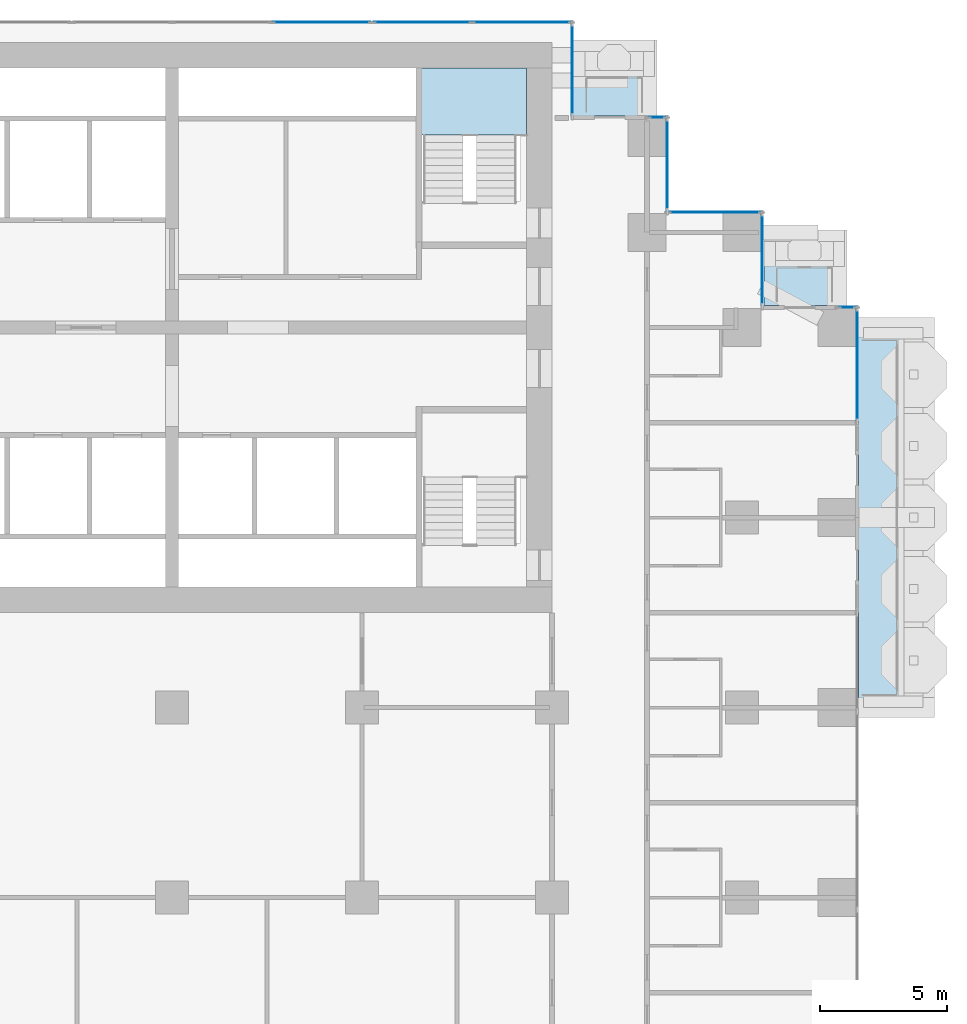
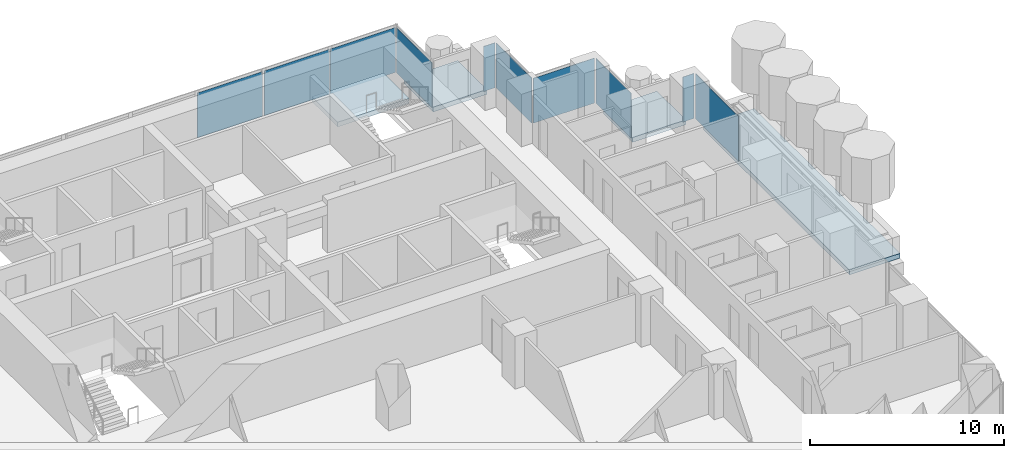
# One storey, part 10 of 20: 10 plates, 4 slabs, 10 elements without a shape of their own.
"""IFC4 building model written with IfcOpenShell, lengths in metres."""

from ifc_helpers import new_model, si_unit, direction, frame, origin, origin_2d, place, context, subcontext, project, spatial, polyline, rectangle, outline, extrude, material, layer, layer_set, type_object, element, aggregate, save


model = new_model("IFC4")

# Units and contexts
model_context = context("Model", 3, precision=1e-05, world=origin(), true_north=direction((0.0, 1.0)))
body_context = subcontext(model_context, "Body", "Model", "MODEL_VIEW")
ifc_project = project(units=[si_unit("LENGTHUNIT", "METRE"), si_unit("AREAUNIT", "SQUARE_METRE"), si_unit("VOLUMEUNIT", "CUBIC_METRE"), si_unit("PLANEANGLEUNIT", "RADIAN"), si_unit("MASSUNIT", "GRAM", prefix="KILO")], contexts=[model_context])

# Site, building, storey
site_placement = place(None, origin())
site = spatial("IfcSite", under=ifc_project, at=site_placement, CompositionType="ELEMENT")
building_placement = place(site_placement, origin())
building = spatial("IfcBuilding", under=site, at=building_placement, Name="Pilkhan Gate Tower", CompositionType="ELEMENT")
storey_placement = place(building_placement, frame((0.0, 0.0, 92.300048828125)))
storey = spatial("IfcBuildingStorey", under=building, at=storey_placement, Name="L22", CompositionType="ELEMENT", Elevation=92.300048828125)

# Slabs
ifc_material_1 = material(Name="Concrete C60/75", Category="concrete")
ifc_layer_1 = layer(ifc_material_1, 0.300048828125)
ifc_layer_set_1 = layer_set([ifc_layer_1], Name="Balcony tray slab TR300")
slab_type_1 = type_object("IfcSlabType", Name="Balcony tray slab TR300", PredefinedType="FLOOR", material=ifc_layer_set_1)
slab_1_placement = place(storey_placement, frame((0.0, 0.0, -0.300048828125)))
element("IfcSlab", 1, at=slab_1_placement, inside=storey, type_object=slab_type_1, Name="Balcony tray L22 E", PredefinedType="FLOOR", context=body_context, shape_type="SweptSolid", body=[
    extrude(outline(polyline([(105.10009765625, 67.5), (105.10009765625, 82.5), (102.10009765625, 82.5), (102.10009765625, 67.5), (105.10009765625, 67.5)])), origin(), (0.0, 0.0, 1.0), 0.300048828125),
])
slab_2_placement = place(storey_placement, frame((0.0, 0.0, -0.300048828125)))
element("IfcSlab", 2, at=slab_2_placement, inside=storey, type_object=slab_type_1, Name="Balcony tray L22 N", PredefinedType="FLOOR", context=body_context, shape_type="SweptSolid", body=[
    extrude(outline(polyline([(94.050048828125, 90.85009765625), (94.050048828125, 93.85009765625), (90.85009765625, 93.85009765625), (90.85009765625, 90.85009765625), (94.050048828125, 90.85009765625)])), origin(), (0.0, 0.0, 1.0), 0.300048828125),
])
slab_3_placement = place(storey_placement, frame((0.0, 0.0, -0.300048828125)))
element("IfcSlab", 3, at=slab_3_placement, inside=storey, type_object=slab_type_1, Name="Balcony tray L22 N", PredefinedType="FLOOR", context=body_context, shape_type="SweptSolid", body=[
    extrude(outline(polyline([(101.550048828125, 83.3701171875), (101.550048828125, 86.35009765625), (98.3701171875, 86.35009765625), (98.3701171875, 83.3701171875), (101.550048828125, 83.3701171875)])), origin(), (0.0, 0.0, 1.0), 0.300048828125),
])

# Curtain wall, plate
ifc_material_2 = material(Name="Pale anodised aluminium, clear low-iron double glazing", Category="aluminium")
curtain_wall_type = type_object("IfcCurtainWallType", Name="Hotel unitised curtain wall CW-H", PredefinedType="USERDEFINED", material=ifc_material_2)
curtain_wall_1_placement = place(storey_placement, origin())
curtain_wall_1 = element("IfcCurtainWall", 4, at=curtain_wall_1_placement, inside=storey, type_object=curtain_wall_type, Name="Hotel unitised curtain wall CW-H L22 E", ObjectType="UNITISED CURTAIN WALL", PredefinedType="USERDEFINED")
ifc_material_3 = material(Name="Clear low-iron double glazing", Category="glass")
ifc_layer_2 = layer(ifc_material_3, 0.035888671875)
ifc_layer_set_2 = layer_set([ifc_layer_2], Name="Glass panel CW-H 36")
plate_type = type_object("IfcPlateType", Name="Glass panel CW-H 36", PredefinedType="CURTAIN_PANEL", material=ifc_layer_set_2)
plate_1_placement = place(storey_placement, frame((102.044921875, 81.0224609375, 0.0), z_axis=(0.0, 0.0, 1.0), x_axis=(0.0, 1.0, 0.0)))
plate_1 = element("IfcPlate", 5, at=plate_1_placement, type_object=plate_type, Name="CW-H panel 1", PredefinedType="CURTAIN_PANEL", context=body_context, shape_type="SweptSolid", body=[
    extrude(rectangle(XDim=4.4150390625, YDim=0.035888671875, at=origin_2d()), origin(), (0.0, 0.0, 1.0), 2.820068359375),
])
aggregate(curtain_wall_1, [plate_1])

curtain_wall_2_placement = place(storey_placement, origin())
curtain_wall_2 = element("IfcCurtainWall", 6, at=curtain_wall_2_placement, inside=storey, type_object=curtain_wall_type, Name="Hotel unitised curtain wall CW-H L22 N", ObjectType="UNITISED CURTAIN WALL", PredefinedType="USERDEFINED")
plate_2_placement = place(storey_placement, frame((101.6474609375, 83.294921875, 0.0), z_axis=(0.0, 0.0, 1.0), x_axis=(1.0, 0.0, 0.0)))
plate_2 = element("IfcPlate", 7, at=plate_2_placement, type_object=plate_type, Name="CW-H panel 1", PredefinedType="CURTAIN_PANEL", context=body_context, shape_type="SweptSolid", body=[
    extrude(rectangle(XDim=0.6650390625, YDim=0.035888671875, at=origin_2d()), origin(), (0.0, 0.0, 1.0), 2.820068359375),
])
aggregate(curtain_wall_2, [plate_2])

curtain_wall_3_placement = place(storey_placement, origin())
curtain_wall_3 = element("IfcCurtainWall", 8, at=curtain_wall_3_placement, inside=storey, type_object=curtain_wall_type, Name="Hotel unitised curtain wall CW-H L22 E", ObjectType="UNITISED CURTAIN WALL", PredefinedType="USERDEFINED")
plate_3_placement = place(storey_placement, frame((98.294921875, 85.169921875, 0.0), z_axis=(0.0, 0.0, 1.0), x_axis=(0.0, 1.0, 0.0)))
plate_3 = element("IfcPlate", 9, at=plate_3_placement, type_object=plate_type, Name="CW-H panel 1", PredefinedType="CURTAIN_PANEL", context=body_context, shape_type="SweptSolid", body=[
    extrude(rectangle(XDim=3.6201171875, YDim=0.035888671875, at=origin_2d()), origin(), (0.0, 0.0, 1.0), 2.820068359375),
])
aggregate(curtain_wall_3, [plate_3])

curtain_wall_4_placement = place(storey_placement, origin())
curtain_wall_4 = element("IfcCurtainWall", 10, at=curtain_wall_4_placement, inside=storey, type_object=curtain_wall_type, Name="Hotel unitised curtain wall CW-H L22 N", ObjectType="UNITISED CURTAIN WALL", PredefinedType="USERDEFINED")
plate_4_placement = place(storey_placement, frame((96.419921875, 87.044921875, 0.0), z_axis=(0.0, 0.0, 1.0), x_axis=(1.0, 0.0, 0.0)))
plate_4 = element("IfcPlate", 11, at=plate_4_placement, type_object=plate_type, Name="CW-H panel 1", PredefinedType="CURTAIN_PANEL", context=body_context, shape_type="SweptSolid", body=[
    extrude(rectangle(XDim=3.6201171875, YDim=0.035888671875, at=origin_2d()), origin(), (0.0, 0.0, 1.0), 2.820068359375),
])
aggregate(curtain_wall_4, [plate_4])

curtain_wall_5_placement = place(storey_placement, origin())
curtain_wall_5 = element("IfcCurtainWall", 12, at=curtain_wall_5_placement, inside=storey, type_object=curtain_wall_type, Name="Hotel unitised curtain wall CW-H L22 E", ObjectType="UNITISED CURTAIN WALL", PredefinedType="USERDEFINED")
plate_5_placement = place(storey_placement, frame((94.544921875, 88.919921875, 0.0), z_axis=(0.0, 0.0, 1.0), x_axis=(0.0, 1.0, 0.0)))
plate_5 = element("IfcPlate", 13, at=plate_5_placement, type_object=plate_type, Name="CW-H panel 1", PredefinedType="CURTAIN_PANEL", context=body_context, shape_type="SweptSolid", body=[
    extrude(rectangle(XDim=3.6201171875, YDim=0.035888671875, at=origin_2d()), origin(), (0.0, 0.0, 1.0), 2.820068359375),
])
aggregate(curtain_wall_5, [plate_5])

curtain_wall_6_placement = place(storey_placement, origin())
curtain_wall_6 = element("IfcCurtainWall", 14, at=curtain_wall_6_placement, inside=storey, type_object=curtain_wall_type, Name="Hotel unitised curtain wall CW-H L22 N", ObjectType="UNITISED CURTAIN WALL", PredefinedType="USERDEFINED")
plate_6_placement = place(storey_placement, frame((94.1474609375, 90.794921875, 0.0), z_axis=(0.0, 0.0, 1.0), x_axis=(1.0, 0.0, 0.0)))
plate_6 = element("IfcPlate", 15, at=plate_6_placement, type_object=plate_type, Name="CW-H panel 1", PredefinedType="CURTAIN_PANEL", context=body_context, shape_type="SweptSolid", body=[
    extrude(rectangle(XDim=0.6650390625, YDim=0.035888671875, at=origin_2d()), origin(), (0.0, 0.0, 1.0), 2.820068359375),
])
aggregate(curtain_wall_6, [plate_6])

curtain_wall_7_placement = place(storey_placement, origin())
curtain_wall_7 = element("IfcCurtainWall", 16, at=curtain_wall_7_placement, inside=storey, type_object=curtain_wall_type, Name="Hotel unitised curtain wall CW-H L22 E", ObjectType="UNITISED CURTAIN WALL", PredefinedType="USERDEFINED")
plate_7_placement = place(storey_placement, frame((90.794921875, 92.669921875, 0.0), z_axis=(0.0, 0.0, 1.0), x_axis=(0.0, 1.0, 0.0)))
plate_7 = element("IfcPlate", 17, at=plate_7_placement, type_object=plate_type, Name="CW-H panel 1", PredefinedType="CURTAIN_PANEL", context=body_context, shape_type="SweptSolid", body=[
    extrude(rectangle(XDim=3.6201171875, YDim=0.035888671875, at=origin_2d()), origin(), (0.0, 0.0, 1.0), 2.820068359375),
])
aggregate(curtain_wall_7, [plate_7])

curtain_wall_8_placement = place(storey_placement, origin())
curtain_wall_8 = element("IfcCurtainWall", 18, at=curtain_wall_8_placement, inside=storey, type_object=curtain_wall_type, Name="Hotel unitised curtain wall CW-H L22 N", ObjectType="UNITISED CURTAIN WALL", PredefinedType="USERDEFINED")
plate_8_placement = place(storey_placement, frame((80.906982421875, 94.544921875, 0.0), z_axis=(0.0, 0.0, 1.0), x_axis=(1.0, 0.0, 0.0)))
plate_8 = element("IfcPlate", 19, at=plate_8_placement, type_object=plate_type, Name="CW-H panel 3", PredefinedType="CURTAIN_PANEL", context=body_context, shape_type="SweptSolid", body=[
    extrude(rectangle(XDim=3.851318359375, YDim=0.035888671875, at=origin_2d()), origin(), (0.0, 0.0, 1.0), 2.820068359375),
])
aggregate(curtain_wall_8, [plate_8])

# Curtain wall, plates
curtain_wall_9_placement = place(storey_placement, origin())
curtain_wall_9 = element("IfcCurtainWall", 20, at=curtain_wall_9_placement, inside=storey, type_object=curtain_wall_type, Name="Hotel unitised curtain wall CW-H L22 N", ObjectType="UNITISED CURTAIN WALL", PredefinedType="USERDEFINED")
plate_9_placement = place(storey_placement, frame((84.88818359375, 94.544921875, 0.0), z_axis=(0.0, 0.0, 1.0), x_axis=(1.0, 0.0, 0.0)))
plate_9 = element("IfcPlate", 21, at=plate_9_placement, type_object=plate_type, Name="CW-H panel 1", PredefinedType="CURTAIN_PANEL", context=body_context, shape_type="SweptSolid", body=[
    extrude(rectangle(XDim=3.851318359375, YDim=0.035888671875, at=origin_2d()), origin(), (0.0, 0.0, 1.0), 2.820068359375),
])
plate_10_placement = place(storey_placement, frame((88.804443359375, 94.544921875, 0.0), z_axis=(0.0, 0.0, 1.0), x_axis=(1.0, 0.0, 0.0)))
plate_10 = element("IfcPlate", 22, at=plate_10_placement, type_object=plate_type, Name="CW-H panel 2", PredefinedType="CURTAIN_PANEL", context=body_context, shape_type="SweptSolid", body=[
    extrude(rectangle(XDim=3.851318359375, YDim=0.035888671875, at=origin_2d()), origin(), (0.0, 0.0, 1.0), 2.820068359375),
])
aggregate(curtain_wall_9, [plate_9, plate_10])

# Stair, slab
ifc_material_4 = material(Name="Concrete C40/50 precast", Category="concrete")
stair_type = type_object("IfcStairType", Name="Stair ST4 165x300", PredefinedType="HALF_TURN_STAIR", material=ifc_material_4)
stair_placement = place(storey_placement, origin())
stair = element("IfcStair", 23, at=stair_placement, inside=storey, type_object=stair_type, Name="Stair ST4 L22", PredefinedType="HALF_TURN_STAIR")
ifc_material_5 = material(Name="Concrete C40/50", Category="concrete")
ifc_layer_3 = layer(ifc_material_5, 0.199951171875)
ifc_layer_set_3 = layer_set([ifc_layer_3], Name="Stair landing SL200")
slab_type_2 = type_object("IfcSlabType", Name="Stair landing SL200", PredefinedType="LANDING", material=ifc_layer_set_3)
slab_4_placement = place(storey_placement, frame((0.0, 0.0, 1.349853515625)))
slab_4 = element("IfcSlab", 24, at=slab_4_placement, type_object=slab_type_2, Name="ST4 landing 1", PredefinedType="LANDING", context=body_context, shape_type="SweptSolid", body=[
    extrude(outline(polyline([(89.0, 90.10009765625), (89.0, 92.75), (84.75, 92.75), (84.75, 90.10009765625), (89.0, 90.10009765625)])), origin(), (0.0, 0.0, 1.0), 0.300048828125),
])
aggregate(stair, [slab_4])

save(model, "model.ifc")
